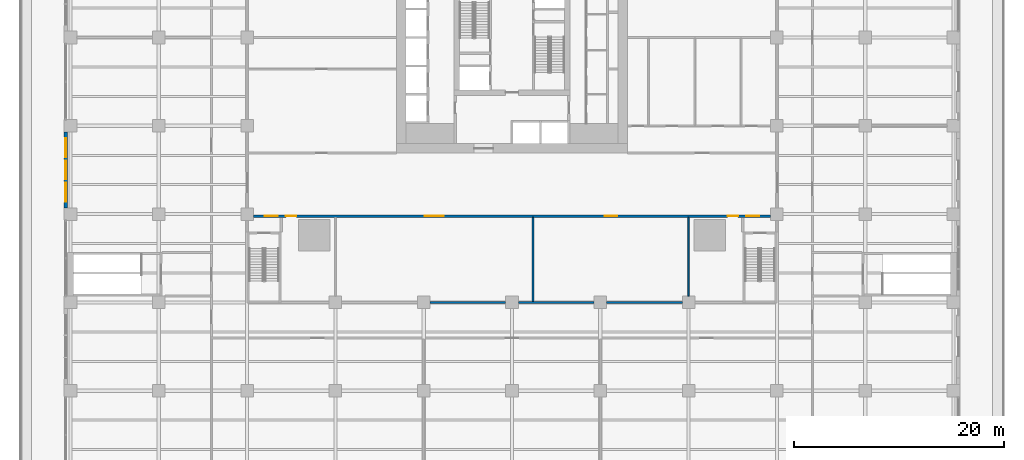
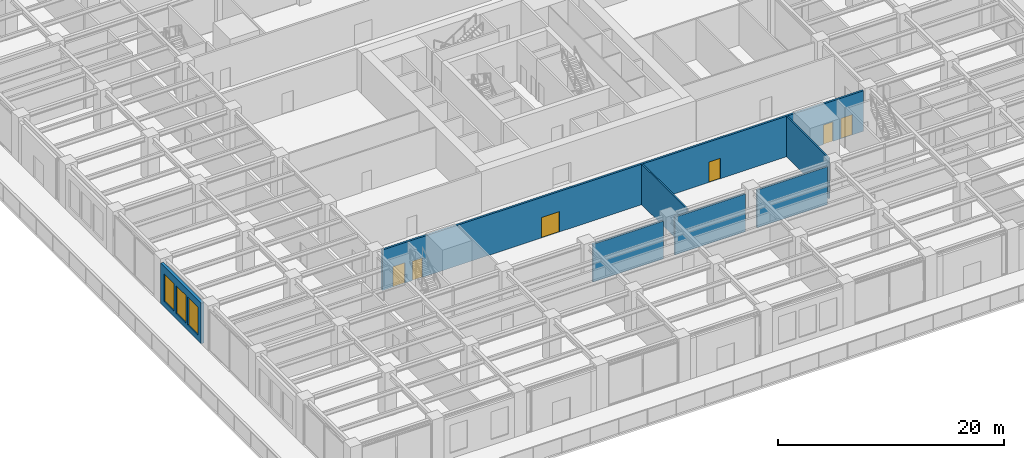
# One storey, part 36 of 53: 7 walls, 6 doors, 3 windows, 9 openings.
"""IFC4 building model written with IfcOpenShell, lengths in metres."""

from ifc_helpers import new_model, si_unit, direction, frame, frame_2d, origin, place, context, subcontext, project, spatial, rectangle, extrude, material, layer, layer_set, type_object, element, fill, save


model = new_model("IFC4")

# Units and contexts
model_context = context("Model", 3, precision=1e-05, world=origin(), true_north=direction((0.0, 1.0)))
body_context = subcontext(model_context, "Body", "Model", "MODEL_VIEW")
ifc_project = project(units=[si_unit("LENGTHUNIT", "METRE"), si_unit("AREAUNIT", "SQUARE_METRE"), si_unit("VOLUMEUNIT", "CUBIC_METRE"), si_unit("PLANEANGLEUNIT", "RADIAN"), si_unit("MASSUNIT", "GRAM", prefix="KILO")], contexts=[model_context])

# Site, building, storey
site_placement = place(None, origin())
site = spatial("IfcSite", under=ifc_project, at=site_placement, CompositionType="ELEMENT")
building_placement = place(site_placement, origin())
building = spatial("IfcBuilding", under=site, at=building_placement, Name="Khepri Terraces", CompositionType="ELEMENT")
storey_placement = place(building_placement, frame((0.0, 0.0, 7.199951171875)))
storey = spatial("IfcBuildingStorey", under=building, at=storey_placement, Name="L01", CompositionType="ELEMENT", Elevation=7.199951171875)

# Wall, openings, windows
ifc_material_1 = material(Name="Precast concrete C50/60 warm stone", Category="masonry")
ifc_layer_1 = layer(ifc_material_1, 0.300048828125, Name="Precast concrete C50/60 warm stone", Category="masonry")
ifc_layer_set_1 = layer_set([ifc_layer_1], Name="Precast concrete C50/60 warm stone")
wall_type_1 = type_object("IfcWallType", Name="WL-EXT-PRECAST-300", PredefinedType="STANDARD", material=ifc_layer_set_1)
wall_1_placement = place(storey_placement, frame((-42.449951171875, -9.0, 0.0), z_axis=(0.0, 0.0, 1.0), x_axis=(0.0, -1.0, 0.0)))
wall_1 = element("IfcWall", 1, at=wall_1_placement, inside=storey, type_object=wall_type_1, Name="External wall L01 W", PredefinedType="STANDARD", context=body_context, shape_type="SweptSolid", body=[
    extrude(rectangle(XDim=7.199951171875, YDim=0.300048828125, at=frame_2d((3.60009765625, 0.0))), origin(), (0.0, 0.0, 1.0), 4.380126953125),
])
opening_1_placement = place(wall_1_placement, frame((0.60009765625, 0.0, 0.60009765625)))
opening_1 = element("IfcOpeningElement", 2, at=opening_1_placement, cuts=wall_1, Name="Opening WP1", PredefinedType="OPENING", context=body_context, shape_type="SweptSolid", body=[
    extrude(rectangle(XDim=1.800048828125, YDim=3.0, at=frame_2d((0.89990234375, 1.5))), frame((0.0, 0.16015625, 0.0), z_axis=(0.0, -1.0, 0.0), x_axis=(1.0, 0.0, 0.0)), (0.0, 0.0, 1.0), 0.320068359375),
])
opening_2_placement = place(wall_1_placement, frame((2.699951171875, 0.0, 0.60009765625)))
opening_2 = element("IfcOpeningElement", 3, at=opening_2_placement, cuts=wall_1, Name="Opening WP1", PredefinedType="OPENING", context=body_context, shape_type="SweptSolid", body=[
    extrude(rectangle(XDim=1.800048828125, YDim=3.0, at=frame_2d((0.89990234375, 1.5))), frame((0.0, 0.16015625, 0.0), z_axis=(0.0, -1.0, 0.0), x_axis=(1.0, 0.0, 0.0)), (0.0, 0.0, 1.0), 0.320068359375),
])
opening_3_placement = place(wall_1_placement, frame((4.800048828125, 0.0, 0.60009765625)))
opening_3 = element("IfcOpeningElement", 4, at=opening_3_placement, cuts=wall_1, Name="Opening WP1", PredefinedType="OPENING", context=body_context, shape_type="SweptSolid", body=[
    extrude(rectangle(XDim=1.800048828125, YDim=3.0, at=frame_2d((0.89990234375, 1.5))), frame((0.0, 0.16015625, 0.0), z_axis=(0.0, -1.0, 0.0), x_axis=(1.0, 0.0, 0.0)), (0.0, 0.0, 1.0), 0.320068359375),
])
ifc_material_2 = material(Name="Clear glass", Category="glass")
window_type = type_object("IfcWindowType", Name="WIN-POD-1800x3000", PartitioningType="SINGLE_PANEL", PredefinedType="WINDOW", material=ifc_material_2)
window_1_placement = place(opening_1_placement, origin())
window_1 = element("IfcWindow", 5, at=window_1_placement, inside=storey, type_object=window_type, Name="Window L01 W", OverallHeight=3.0, OverallWidth=1.800048828125, PartitioningType="SINGLE_PANEL", PredefinedType="WINDOW", context=body_context, shape_type="SweptSolid", body=[
    extrude(rectangle(XDim=1.800048828125, YDim=3.0, at=frame_2d((0.89990234375, 1.5))), frame((0.0, 0.030029296875, 0.0), z_axis=(0.0, -1.0, 0.0), x_axis=(1.0, 0.0, 0.0)), (0.0, 0.0, 1.0), 0.06005859375),
])
fill(opening_1, window_1)
window_2_placement = place(opening_2_placement, origin())
window_2 = element("IfcWindow", 6, at=window_2_placement, inside=storey, type_object=window_type, Name="Window L01 W", OverallHeight=3.0, OverallWidth=1.800048828125, PartitioningType="SINGLE_PANEL", PredefinedType="WINDOW", context=body_context, shape_type="SweptSolid", body=[
    extrude(rectangle(XDim=1.800048828125, YDim=3.0, at=frame_2d((0.89990234375, 1.5))), frame((0.0, 0.030029296875, 0.0), z_axis=(0.0, -1.0, 0.0), x_axis=(1.0, 0.0, 0.0)), (0.0, 0.0, 1.0), 0.06005859375),
])
fill(opening_2, window_2)
window_3_placement = place(opening_3_placement, origin())
window_3 = element("IfcWindow", 7, at=window_3_placement, inside=storey, type_object=window_type, Name="Window L01 W", OverallHeight=3.0, OverallWidth=1.800048828125, PartitioningType="SINGLE_PANEL", PredefinedType="WINDOW", context=body_context, shape_type="SweptSolid", body=[
    extrude(rectangle(XDim=1.800048828125, YDim=3.0, at=frame_2d((0.89990234375, 1.5))), frame((0.0, 0.030029296875, 0.0), z_axis=(0.0, -1.0, 0.0), x_axis=(1.0, 0.0, 0.0)), (0.0, 0.0, 1.0), 0.06005859375),
])
fill(opening_3, window_3)

# Walls
ifc_material_3 = material(Name="Gypsum board partition")
ifc_layer_2 = layer(ifc_material_3, 0.14990234375, Name="Gypsum board partition")
ifc_layer_set_2 = layer_set([ifc_layer_2], Name="Gypsum board partition")
wall_type_2 = type_object("IfcWallType", Name="WL-POD-150", PredefinedType="PARTITIONING", material=ifc_layer_set_2)
wall_2_placement = place(storey_placement, frame((2.0, -25.10009765625, 0.0), z_axis=(0.0, 0.0, 1.0), x_axis=(0.0, 1.0, 0.0)))
element("IfcWall", 8, at=wall_2_placement, inside=storey, type_object=wall_type_2, Name="Partition L01-PW060", PredefinedType="PARTITIONING", context=body_context, shape_type="SweptSolid", body=[
    extrude(rectangle(XDim=8.0, YDim=0.14990234375, at=frame_2d((4.0, 0.0))), origin(), (0.0, 0.0, 1.0), 4.380126953125),
])
wall_3_placement = place(storey_placement, frame((16.800048828125, -24.60009765625, 0.0), z_axis=(0.0, 0.0, 1.0), x_axis=(0.0, 1.0, 0.0)))
element("IfcWall", 9, at=wall_3_placement, inside=storey, type_object=wall_type_2, Name="Partition L01-PW067", PredefinedType="PARTITIONING", context=body_context, shape_type="SweptSolid", body=[
    extrude(rectangle(XDim=7.5, YDim=0.14990234375, at=frame_2d((3.75, 0.0))), origin(), (0.0, 0.0, 1.0), 4.380126953125),
])
ifc_material_4 = material(Name="Fire-rated block wall")
ifc_layer_3 = layer(ifc_material_4, 0.199951171875, Name="Fire-rated block wall")
ifc_layer_set_3 = layer_set([ifc_layer_3], Name="Fire-rated block wall")
wall_type_3 = type_object("IfcWallType", Name="WL-POD-200-EI60", PredefinedType="PARTITIONING", material=ifc_layer_set_3)
for number, where, z_axis, x_axis, name in (
    (10, (-7.800048828125, -25.199951171875, 0.0), (0.0, 0.0, 1.0), (1.0, 0.0, 0.0), "Partition L01-PW004"),
    (11, (0.60009765625, -25.199951171875, 0.0), (0.0, 0.0, 1.0), (1.0, 0.0, 0.0), "Partition L01-PW005"),
    (12, (9.0, -25.199951171875, 0.0), (0.0, 0.0, 1.0), (1.0, 0.0, 0.0), "Partition L01-PW006"),
):
    element("IfcWall", number, at=place(storey_placement, frame(where, z_axis=z_axis, x_axis=x_axis)), inside=storey, type_object=wall_type_3, Name=name, PredefinedType="PARTITIONING", context=body_context, shape_type="SweptSolid", body=[
        extrude(rectangle(XDim=7.199951171875, YDim=0.199951171875, at=frame_2d((3.60009765625, 0.0))), origin(), (0.0, 0.0, 1.0), 4.080078125),
    ])

# Wall, openings, doors
wall_4_placement = place(storey_placement, frame((-24.60009765625, -17.0, 0.0), z_axis=(0.0, 0.0, 1.0), x_axis=(1.0, 0.0, 0.0)))
wall_4 = element("IfcWall", 13, at=wall_4_placement, inside=storey, type_object=wall_type_3, Name="Partition L01-PW012", PredefinedType="PARTITIONING", context=body_context, shape_type="SweptSolid", body=[
    extrude(rectangle(XDim=49.2001953125, YDim=0.199951171875, at=frame_2d((24.60009765625, 0.0))), origin(), (0.0, 0.0, 1.0), 4.380126953125),
])
opening_4_placement = place(wall_4_placement, frame((1.10009765625, 0.0, 0.0)))
opening_4 = element("IfcOpeningElement", 14, at=opening_4_placement, cuts=wall_4, Name="Opening L01-P08", PredefinedType="OPENING", context=body_context, shape_type="SweptSolid", body=[
    extrude(rectangle(XDim=1.199951171875, YDim=2.199951171875, at=frame_2d((0.60009765625, 1.10009765625))), frame((0.0, 0.10986328125, 0.0), z_axis=(0.0, -1.0, 0.0), x_axis=(1.0, 0.0, 0.0)), (0.0, 0.0, 1.0), 0.219970703125),
])
opening_5_placement = place(wall_4_placement, frame((3.10009765625, 0.0, 0.0)))
opening_5 = element("IfcOpeningElement", 15, at=opening_5_placement, cuts=wall_4, Name="Opening L01-P09", PredefinedType="OPENING", context=body_context, shape_type="SweptSolid", body=[
    extrude(rectangle(XDim=1.0, YDim=2.10009765625, at=frame_2d((0.5, 1.050048828125))), frame((0.0, 0.10986328125, 0.0), z_axis=(0.0, -1.0, 0.0), x_axis=(1.0, 0.0, 0.0)), (0.0, 0.0, 1.0), 0.219970703125),
])
opening_6_placement = place(wall_4_placement, frame((16.300048828125, 0.0, 0.0)))
opening_6 = element("IfcOpeningElement", 16, at=opening_6_placement, cuts=wall_4, Name="Opening L01-P10", PredefinedType="OPENING", context=body_context, shape_type="SweptSolid", body=[
    extrude(rectangle(XDim=1.800048828125, YDim=2.199951171875, at=frame_2d((0.89990234375, 1.10009765625))), frame((0.0, 0.10986328125, 0.0), z_axis=(0.0, -1.0, 0.0), x_axis=(1.0, 0.0, 0.0)), (0.0, 0.0, 1.0), 0.219970703125),
])
opening_7_placement = place(wall_4_placement, frame((33.39990234375, 0.0, 0.0)))
opening_7 = element("IfcOpeningElement", 17, at=opening_7_placement, cuts=wall_4, Name="Opening L01-P11", PredefinedType="OPENING", context=body_context, shape_type="SweptSolid", body=[
    extrude(rectangle(XDim=1.199951171875, YDim=2.199951171875, at=frame_2d((0.60009765625, 1.10009765625))), frame((0.0, 0.10986328125, 0.0), z_axis=(0.0, -1.0, 0.0), x_axis=(1.0, 0.0, 0.0)), (0.0, 0.0, 1.0), 0.219970703125),
])
opening_8_placement = place(wall_4_placement, frame((45.10009765625, 0.0, 0.0)))
opening_8 = element("IfcOpeningElement", 18, at=opening_8_placement, cuts=wall_4, Name="Opening L01-P12", PredefinedType="OPENING", context=body_context, shape_type="SweptSolid", body=[
    extrude(rectangle(XDim=1.0, YDim=2.10009765625, at=frame_2d((0.5, 1.050048828125))), frame((0.0, 0.10986328125, 0.0), z_axis=(0.0, -1.0, 0.0), x_axis=(1.0, 0.0, 0.0)), (0.0, 0.0, 1.0), 0.219970703125),
])
opening_9_placement = place(wall_4_placement, frame((46.89990234375, 0.0, 0.0)))
opening_9 = element("IfcOpeningElement", 19, at=opening_9_placement, cuts=wall_4, Name="Opening L01-P13", PredefinedType="OPENING", context=body_context, shape_type="SweptSolid", body=[
    extrude(rectangle(XDim=1.199951171875, YDim=2.199951171875, at=frame_2d((0.60009765625, 1.10009765625))), frame((0.0, 0.10986328125, 0.0), z_axis=(0.0, -1.0, 0.0), x_axis=(1.0, 0.0, 0.0)), (0.0, 0.0, 1.0), 0.219970703125),
])
ifc_material_5 = material(Name="Painted steel", Category="steel")
door_type_1 = type_object("IfcDoorType", Name="DR-POD-FIRE-1200", OperationType="NOTDEFINED", PredefinedType="DOOR", material=ifc_material_5)
door_1_placement = place(opening_4_placement, origin())
door_1 = element("IfcDoor", 20, at=door_1_placement, inside=storey, type_object=door_type_1, Name="Fire door L01-P08", OperationType="SINGLE_SWING_LEFT", OverallHeight=2.199951171875, OverallWidth=1.199951171875, PredefinedType="DOOR", context=body_context, shape_type="SweptSolid", body=[
    extrude(rectangle(XDim=1.199951171875, YDim=2.199951171875, at=frame_2d((0.60009765625, 1.10009765625))), frame((0.0, 0.02490234375, 0.0), z_axis=(0.0, -1.0, 0.0), x_axis=(1.0, 0.0, 0.0)), (0.0, 0.0, 1.0), 0.050048828125),
])
fill(opening_4, door_1)
door_2_placement = place(opening_9_placement, origin())
door_2 = element("IfcDoor", 21, at=door_2_placement, inside=storey, type_object=door_type_1, Name="Fire door L01-P13", OperationType="SINGLE_SWING_RIGHT", OverallHeight=2.199951171875, OverallWidth=1.199951171875, PredefinedType="DOOR", context=body_context, shape_type="SweptSolid", body=[
    extrude(rectangle(XDim=1.199951171875, YDim=2.199951171875, at=frame_2d((0.60009765625, 1.10009765625))), frame((0.0, 0.02490234375, 0.0), z_axis=(0.0, -1.0, 0.0), x_axis=(1.0, 0.0, 0.0)), (0.0, 0.0, 1.0), 0.050048828125),
])
fill(opening_9, door_2)
ifc_material_6 = material(Name="Glazed aluminium", Category="aluminium")
door_type_2 = type_object("IfcDoorType", Name="DR-POD-PAIR-1800", OperationType="DOUBLE_DOOR_SINGLE_SWING", PredefinedType="DOOR", material=ifc_material_6)
door_3_placement = place(opening_6_placement, origin())
door_3 = element("IfcDoor", 22, at=door_3_placement, inside=storey, type_object=door_type_2, Name="Double door L01-P10", OperationType="DOUBLE_DOOR_SINGLE_SWING", OverallHeight=2.199951171875, OverallWidth=1.800048828125, PredefinedType="DOOR", context=body_context, shape_type="SweptSolid", body=[
    extrude(rectangle(XDim=1.800048828125, YDim=2.199951171875, at=frame_2d((0.89990234375, 1.10009765625))), frame((0.0, 0.02490234375, 0.0), z_axis=(0.0, -1.0, 0.0), x_axis=(1.0, 0.0, 0.0)), (0.0, 0.0, 1.0), 0.050048828125),
])
fill(opening_6, door_3)
ifc_material_7 = material(Name="Timber veneer", Category="wood")
door_type_3 = type_object("IfcDoorType", Name="DR-POD-SINGLE-1000", OperationType="NOTDEFINED", PredefinedType="DOOR", material=ifc_material_7)
door_4_placement = place(opening_5_placement, origin())
door_4 = element("IfcDoor", 23, at=door_4_placement, inside=storey, type_object=door_type_3, Name="Door L01-P09", OperationType="SINGLE_SWING_RIGHT", OverallHeight=2.10009765625, OverallWidth=1.0, PredefinedType="DOOR", context=body_context, shape_type="SweptSolid", body=[
    extrude(rectangle(XDim=1.0, YDim=2.10009765625, at=frame_2d((0.5, 1.050048828125))), frame((0.0, 0.02490234375, 0.0), z_axis=(0.0, -1.0, 0.0), x_axis=(1.0, 0.0, 0.0)), (0.0, 0.0, 1.0), 0.050048828125),
])
fill(opening_5, door_4)
door_5_placement = place(opening_8_placement, origin())
door_5 = element("IfcDoor", 24, at=door_5_placement, inside=storey, type_object=door_type_3, Name="Door L01-P12", OperationType="SINGLE_SWING_LEFT", OverallHeight=2.10009765625, OverallWidth=1.0, PredefinedType="DOOR", context=body_context, shape_type="SweptSolid", body=[
    extrude(rectangle(XDim=1.0, YDim=2.10009765625, at=frame_2d((0.5, 1.050048828125))), frame((0.0, 0.02490234375, 0.0), z_axis=(0.0, -1.0, 0.0), x_axis=(1.0, 0.0, 0.0)), (0.0, 0.0, 1.0), 0.050048828125),
])
fill(opening_8, door_5)
door_type_4 = type_object("IfcDoorType", Name="DR-POD-SINGLE-1200", OperationType="NOTDEFINED", PredefinedType="DOOR", material=ifc_material_7)
door_6_placement = place(opening_7_placement, origin())
door_6 = element("IfcDoor", 25, at=door_6_placement, inside=storey, type_object=door_type_4, Name="Door L01-P11", OperationType="SINGLE_SWING_LEFT", OverallHeight=2.199951171875, OverallWidth=1.199951171875, PredefinedType="DOOR", context=body_context, shape_type="SweptSolid", body=[
    extrude(rectangle(XDim=1.199951171875, YDim=2.199951171875, at=frame_2d((0.60009765625, 1.10009765625))), frame((0.0, 0.02490234375, 0.0), z_axis=(0.0, -1.0, 0.0), x_axis=(1.0, 0.0, 0.0)), (0.0, 0.0, 1.0), 0.050048828125),
])
fill(opening_7, door_6)

save(model, "model.ifc")
